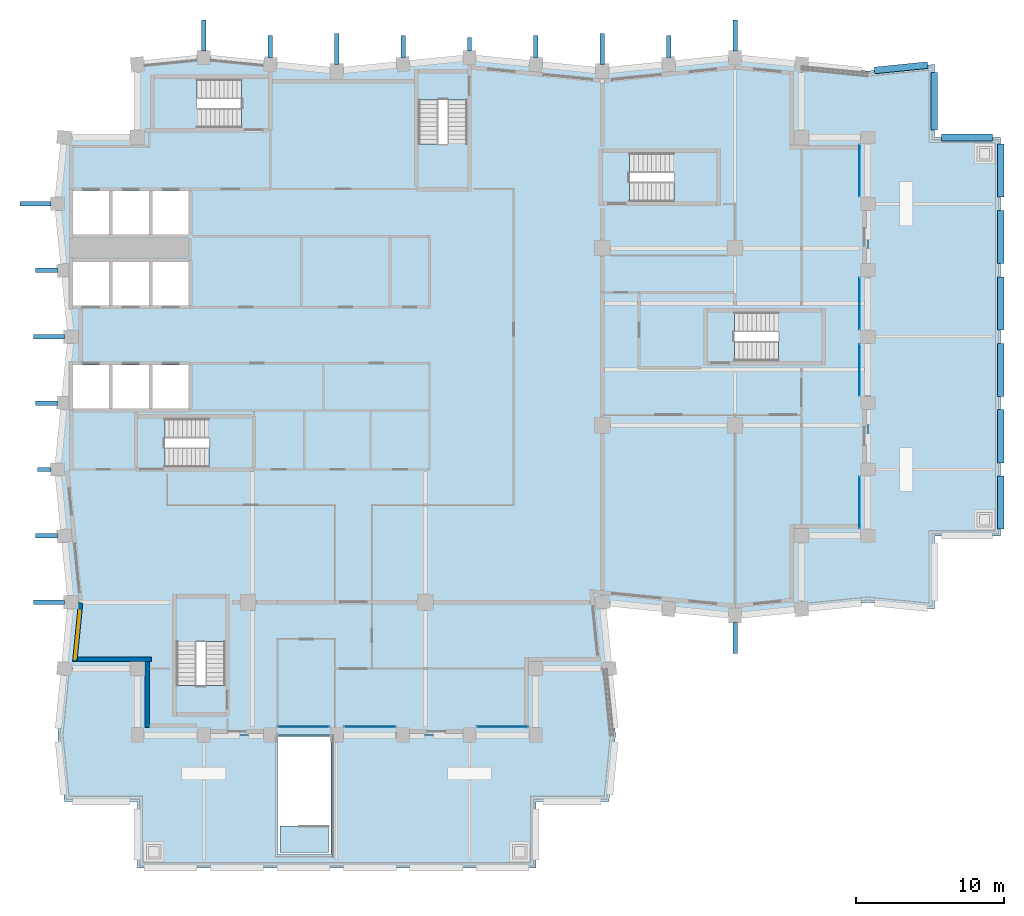
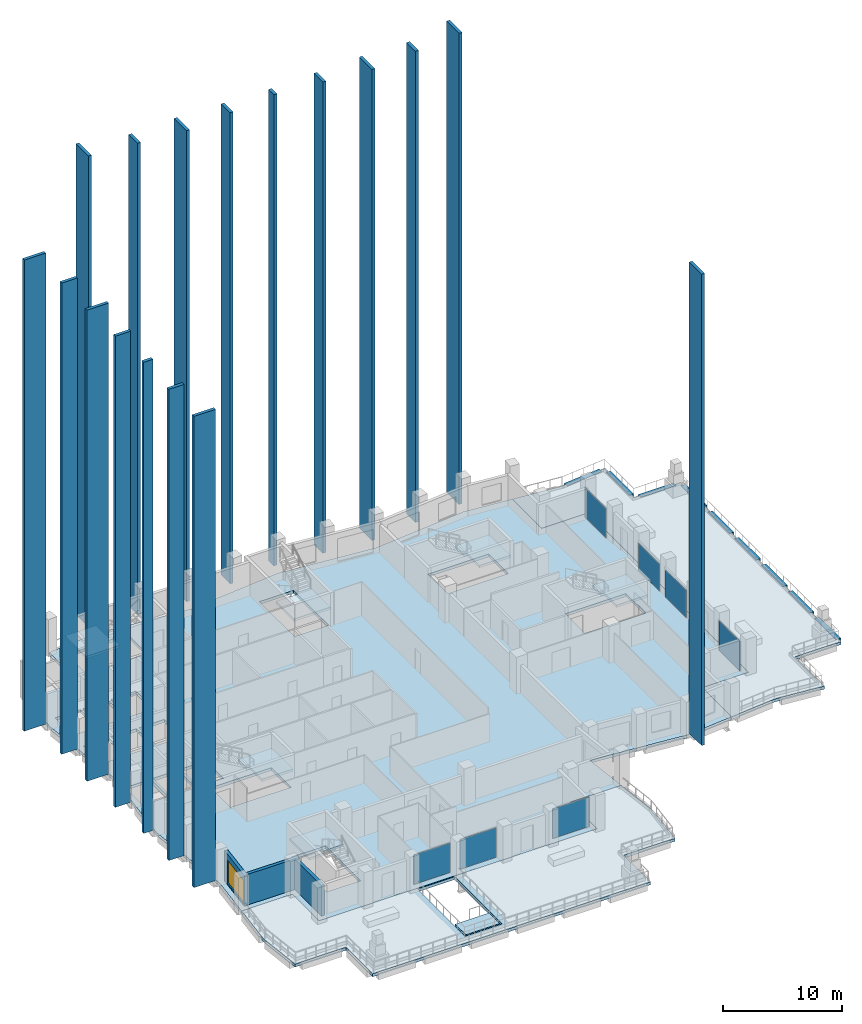
# One storey, part 10 of 19: 24 plates, 10 slabs, 9 beams, 3 walls, 1 window, 1 opening, 13 elements without a shape of their own.
"""IFC4 building model written with IfcOpenShell, lengths in metres."""

from ifc_helpers import new_model, si_unit, direction, frame, frame_2d, origin, origin_2d, place, context, subcontext, project, spatial, polyline, rectangle, outline, extrude, material, layer, layer_set, material_profile, profile_set, type_object, element, fill, aggregate, save


model = new_model("IFC4")

# Units and contexts
model_context = context("Model", 3, precision=1e-05, world=origin(), true_north=direction((0.0, 1.0)))
body_context = subcontext(model_context, "Body", "Model", "MODEL_VIEW")
ifc_project = project(units=[si_unit("LENGTHUNIT", "METRE"), si_unit("AREAUNIT", "SQUARE_METRE"), si_unit("VOLUMEUNIT", "CUBIC_METRE"), si_unit("PLANEANGLEUNIT", "RADIAN"), si_unit("MASSUNIT", "GRAM", prefix="KILO")], contexts=[model_context])

# Site, building, storey
site_placement = place(None, origin())
site = spatial("IfcSite", under=ifc_project, at=site_placement, CompositionType="ELEMENT")
building_placement = place(site_placement, origin())
building = spatial("IfcBuilding", under=site, at=building_placement, Name="Brondeck Convention Tower", CompositionType="ELEMENT")
storey_placement = place(building_placement, frame((0.0, 0.0, 198.800048828125)))
storey = spatial("IfcBuildingStorey", under=building, at=storey_placement, Name="L48", CompositionType="ELEMENT", Elevation=198.800048828125)

# Beams
ifc_material_1 = material(Name="Concrete C50/60", Category="concrete")
ifc_material_profile = material_profile(ifc_material_1, rectangle(XDim=0.449951171875, YDim=0.64990234375, at=origin_2d()), Name="Precast spandrel 450x650 Concrete C50/60")
ifc_profile_set = profile_set([ifc_material_profile], Name="Concrete C50/60")
beam_type = type_object("IfcBeamType", Name="Precast spandrel 450x650 Concrete C50/60", PredefinedType="SPANDREL", material=ifc_profile_set)
beam_1_placement = place(storey_placement, frame((54.449951171875, 63.044921875, -0.324951171875), z_axis=(0.995033851182, 0.099537103649, 0.0), x_axis=(-0.099537103649, 0.995033851182, 0.0)))
element("IfcBeam", 1, at=beam_1_placement, inside=storey, type_object=beam_type, Name="STR-SP-L48T2-001", PredefinedType="SPANDREL", context=body_context, shape_type="SweptSolid", body=[
    extrude(rectangle(XDim=0.449951171875, YDim=0.64990234375, at=origin_2d()), origin(), (0.0, 0.0, 1.0), 3.620361328125),
])
beam_2_placement = place(storey_placement, frame((58.5, 62.897216796875, -0.324951171875), z_axis=(0.0, -1.0, 0.0), x_axis=(1.0, 0.0, 0.0)))
element("IfcBeam", 2, at=beam_2_placement, inside=storey, type_object=beam_type, Name="STR-SP-L48T2-002", PredefinedType="SPANDREL", context=body_context, shape_type="SweptSolid", body=[
    extrude(rectangle(XDim=0.449951171875, YDim=0.64990234375, at=origin_2d()), origin(), (0.0, 0.0, 1.0), 3.897216796875),
])
beam_3_placement = place(storey_placement, frame((59.0, 58.5, -0.324951171875), z_axis=(1.0, 0.0, 0.0), x_axis=(0.0, 1.0, 0.0)))
element("IfcBeam", 3, at=beam_3_placement, inside=storey, type_object=beam_type, Name="STR-SP-L48T2-003", PredefinedType="SPANDREL", context=body_context, shape_type="SweptSolid", body=[
    extrude(rectangle(XDim=0.449951171875, YDim=0.64990234375, at=origin_2d()), origin(), (0.0, 0.0, 1.0), 3.449951171875),
])
for number, where, z_axis, x_axis, name in (
    (4, (63.0, 58.050048828125, -0.324951171875), (0.0, -1.0, 0.0), (1.0, 0.0, 0.0), "STR-SP-L48T2-004"),
    (5, (63.0, 53.550048828125, -0.324951171875), (0.0, -1.0, 0.0), (1.0, 0.0, 0.0), "STR-SP-L48T2-005"),
    (6, (63.0, 49.050048828125, -0.324951171875), (0.0, -1.0, 0.0), (1.0, 0.0, 0.0), "STR-SP-L48T2-006"),
    (7, (63.0, 44.550048828125, -0.324951171875), (0.0, -1.0, 0.0), (1.0, 0.0, 0.0), "STR-SP-L48T2-007"),
    (8, (63.0, 40.050048828125, -0.324951171875), (0.0, -1.0, 0.0), (1.0, 0.0, 0.0), "STR-SP-L48T2-008"),
    (9, (63.0, 35.550048828125, -0.324951171875), (0.0, -1.0, 0.0), (1.0, 0.0, 0.0), "STR-SP-L48T2-009"),
):
    element("IfcBeam", number, at=place(storey_placement, frame(where, z_axis=z_axis, x_axis=x_axis)), inside=storey, type_object=beam_type, Name=name, PredefinedType="SPANDREL", context=body_context, shape_type="SweptSolid", body=[
        extrude(rectangle(XDim=0.449951171875, YDim=0.64990234375, at=origin_2d()), origin(), (0.0, 0.0, 1.0), 3.60009765625),
    ])

# Curtain wall, plate
ifc_material_2 = material(Name="Aluminium, bronze anodised", Category="aluminium")
curtain_wall_type = type_object("IfcCurtainWallType", Name="Terrace door screen curtain wall", PredefinedType="NOTDEFINED", material=ifc_material_2)
curtain_wall_1_placement = place(storey_placement, origin())
curtain_wall_1 = element("IfcCurtainWall", 10, at=curtain_wall_1_placement, inside=storey, type_object=curtain_wall_type, Name="ENV-CW6-L48-B-S18-03", PredefinedType="NOTDEFINED")
ifc_material_3 = material(Name="Bronze tinted laminated glass", Category="glass")
ifc_layer_1 = layer(ifc_material_3, 0.006103515625, Name="Outer pane")
ifc_material_4 = material(Name="Argon-filled cavity")
ifc_layer_2 = layer(ifc_material_4, 0.011962890625, Name="Cavity")
ifc_material_5 = material(Name="Clear low-emissivity glass", Category="glass")
ifc_layer_3 = layer(ifc_material_5, 0.006103515625, Name="Inner pane")
ifc_layer_set_1 = layer_set([ifc_layer_1, ifc_layer_2, ifc_layer_3], Name="CW6 glazing panel")
plate_type_1 = type_object("IfcPlateType", Name="CW6 glazing panel", PredefinedType="CURTAIN_PANEL", material=ifc_layer_set_1)
plate_1_placement = place(storey_placement, frame((15.75, 18.56005859375, 0.0498046875), z_axis=(0.0, 0.0, 1.0), x_axis=(-1.0, 0.0, 0.0)))
plate_1 = element("IfcPlate", 11, at=plate_1_placement, type_object=plate_type_1, Name="CW6 panel 1.1", PredefinedType="CURTAIN_PANEL", context=body_context, shape_type="SweptSolid", body=[
    extrude(rectangle(XDim=3.5, YDim=0.02392578125, at=origin_2d()), origin(), (0.0, 0.0, 1.0), 3.050048828125),
])
aggregate(curtain_wall_1, [plate_1])

curtain_wall_2_placement = place(storey_placement, origin())
curtain_wall_2 = element("IfcCurtainWall", 12, at=curtain_wall_2_placement, inside=storey, type_object=curtain_wall_type, Name="ENV-CW6-L48-B-S18-04", PredefinedType="NOTDEFINED")
plate_2_placement = place(storey_placement, frame((20.25, 18.56005859375, 0.0498046875), z_axis=(0.0, 0.0, 1.0), x_axis=(-1.0, 0.0, 0.0)))
plate_2 = element("IfcPlate", 13, at=plate_2_placement, type_object=plate_type_1, Name="CW6 panel 1.1", PredefinedType="CURTAIN_PANEL", context=body_context, shape_type="SweptSolid", body=[
    extrude(rectangle(XDim=3.5, YDim=0.02392578125, at=origin_2d()), origin(), (0.0, 0.0, 1.0), 3.050048828125),
])
aggregate(curtain_wall_2, [plate_2])

curtain_wall_3_placement = place(storey_placement, origin())
curtain_wall_3 = element("IfcCurtainWall", 14, at=curtain_wall_3_placement, inside=storey, type_object=curtain_wall_type, Name="ENV-CW6-L48-B-S18-06", PredefinedType="NOTDEFINED")
plate_3_placement = place(storey_placement, frame((29.25, 18.56005859375, 0.0498046875), z_axis=(0.0, 0.0, 1.0), x_axis=(-1.0, 0.0, 0.0)))
plate_3 = element("IfcPlate", 15, at=plate_3_placement, type_object=plate_type_1, Name="CW6 panel 1.1", PredefinedType="CURTAIN_PANEL", context=body_context, shape_type="SweptSolid", body=[
    extrude(rectangle(XDim=3.5, YDim=0.02392578125, at=origin_2d()), origin(), (0.0, 0.0, 1.0), 3.050048828125),
])
aggregate(curtain_wall_3, [plate_3])

curtain_wall_4_placement = place(storey_placement, origin())
curtain_wall_4 = element("IfcCurtainWall", 16, at=curtain_wall_4_placement, inside=storey, type_object=curtain_wall_type, Name="ENV-CW6-L48-A-E54-01", PredefinedType="NOTDEFINED")
plate_4_placement = place(storey_placement, frame((53.43994140625, 33.75, 0.0498046875), z_axis=(0.0, 0.0, 1.0), x_axis=(0.0, -1.0, 0.0)))
plate_4 = element("IfcPlate", 17, at=plate_4_placement, type_object=plate_type_1, Name="CW6 panel 1.1", PredefinedType="CURTAIN_PANEL", context=body_context, shape_type="SweptSolid", body=[
    extrude(rectangle(XDim=3.5, YDim=0.02392578125, at=origin_2d()), origin(), (0.0, 0.0, 1.0), 3.050048828125),
])
aggregate(curtain_wall_4, [plate_4])

curtain_wall_5_placement = place(storey_placement, origin())
curtain_wall_5 = element("IfcCurtainWall", 18, at=curtain_wall_5_placement, inside=storey, type_object=curtain_wall_type, Name="ENV-CW6-L48-A-E54-03", PredefinedType="NOTDEFINED")
plate_5_placement = place(storey_placement, frame((53.43994140625, 42.75, 0.0498046875), z_axis=(0.0, 0.0, 1.0), x_axis=(0.0, -1.0, 0.0)))
plate_5 = element("IfcPlate", 19, at=plate_5_placement, type_object=plate_type_1, Name="CW6 panel 1.1", PredefinedType="CURTAIN_PANEL", context=body_context, shape_type="SweptSolid", body=[
    extrude(rectangle(XDim=3.5, YDim=0.02392578125, at=origin_2d()), origin(), (0.0, 0.0, 1.0), 2.800048828125),
])
aggregate(curtain_wall_5, [plate_5])

curtain_wall_6_placement = place(storey_placement, origin())
curtain_wall_6 = element("IfcCurtainWall", 20, at=curtain_wall_6_placement, inside=storey, type_object=curtain_wall_type, Name="ENV-CW6-L48-A-E54-04", PredefinedType="NOTDEFINED")
plate_6_placement = place(storey_placement, frame((53.43994140625, 47.25, 0.0498046875), z_axis=(0.0, 0.0, 1.0), x_axis=(0.0, -1.0, 0.0)))
plate_6 = element("IfcPlate", 21, at=plate_6_placement, type_object=plate_type_1, Name="CW6 panel 1.1", PredefinedType="CURTAIN_PANEL", context=body_context, shape_type="SweptSolid", body=[
    extrude(rectangle(XDim=3.5, YDim=0.02392578125, at=origin_2d()), origin(), (0.0, 0.0, 1.0), 2.800048828125),
])
aggregate(curtain_wall_6, [plate_6])

curtain_wall_7_placement = place(storey_placement, origin())
curtain_wall_7 = element("IfcCurtainWall", 22, at=curtain_wall_7_placement, inside=storey, type_object=curtain_wall_type, Name="ENV-CW6-L48-A-E54-06", PredefinedType="NOTDEFINED")
plate_7_placement = place(storey_placement, frame((53.43994140625, 56.25, 0.0498046875), z_axis=(0.0, 0.0, 1.0), x_axis=(0.0, -1.0, 0.0)))
plate_7 = element("IfcPlate", 23, at=plate_7_placement, type_object=plate_type_1, Name="CW6 panel 1.1", PredefinedType="CURTAIN_PANEL", context=body_context, shape_type="SweptSolid", body=[
    extrude(rectangle(XDim=3.5, YDim=0.02392578125, at=origin_2d()), origin(), (0.0, 0.0, 1.0), 3.050048828125),
])
aggregate(curtain_wall_7, [plate_7])

# Slabs
ifc_material_6 = material(Name="Concrete C35/45", Category="concrete")
ifc_layer_4 = layer(ifc_material_6, 0.300048828125)
ifc_layer_set_2 = layer_set([ifc_layer_4], Name="Composite floor slab 300")
slab_type_1 = type_object("IfcSlabType", Name="Composite floor slab 300", PredefinedType="FLOOR", material=ifc_layer_set_2)
slab_1_placement = place(storey_placement, frame((0.0, 0.0, -0.300048828125)))
element("IfcSlab", 24, at=slab_1_placement, inside=storey, type_object=slab_type_1, Name="STR-SL-L48", PredefinedType="FLOOR", context=body_context, shape_type="SweptSolid", body=[
    extrude(outline(polyline([(4.5, 22.5), (-0.449951171875, 22.5), (0.0, 27.0), (-0.89990234375, 36.0), (0.0, 45.0), (-0.89990234375, 54.0), (-0.449951171875, 58.5), (4.5, 58.5), (4.5, 63.449951171875), (9.0, 63.89990234375), (18.0, 63.0), (27.0, 63.89990234375), (36.0, 63.0), (45.0, 63.89990234375), (49.5, 63.449951171875), (49.5, 58.5), (54.0, 58.5), (54.0, 31.5), (49.5, 31.5), (49.5, 26.550048828125), (45.0, 26.10009765625), (36.0, 27.0), (36.449951171875, 22.5), (31.5, 22.5), (31.5, 18.0), (4.5, 18.0), (4.5, 22.5)]), holes=[polyline([(2.574951171875, 40.125), (2.574951171875, 43.074951171875), (0.125, 43.074951171875), (0.125, 40.125), (2.574951171875, 40.125)]), polyline([(5.27490234375, 40.125), (5.27490234375, 43.074951171875), (2.824951171875, 43.074951171875), (2.824951171875, 40.125), (5.27490234375, 40.125)]), polyline([(7.97509765625, 40.125), (7.97509765625, 43.074951171875), (5.52490234375, 43.074951171875), (5.52490234375, 40.125), (7.97509765625, 40.125)]), polyline([(2.574951171875, 47.125), (2.574951171875, 50.074951171875), (0.125, 50.074951171875), (0.125, 47.125), (2.574951171875, 47.125)]), polyline([(5.27490234375, 47.125), (5.27490234375, 50.074951171875), (2.824951171875, 50.074951171875), (2.824951171875, 47.125), (5.27490234375, 47.125)]), polyline([(7.97509765625, 47.125), (7.97509765625, 50.074951171875), (5.52490234375, 50.074951171875), (5.52490234375, 47.125), (7.97509765625, 47.125)]), polyline([(2.574951171875, 51.925048828125), (2.574951171875, 54.875), (0.125, 54.875), (0.125, 51.925048828125), (2.574951171875, 51.925048828125)]), polyline([(5.27490234375, 51.925048828125), (5.27490234375, 54.875), (2.824951171875, 54.875), (2.824951171875, 51.925048828125), (5.27490234375, 51.925048828125)]), polyline([(10.447998046875, 27.248046875), (7.152099609375, 27.248046875), (7.152099609375, 21.35205078125), (10.447998046875, 21.35205078125), (10.447998046875, 27.248046875)]), polyline([(12.248046875, 36.152099609375), (12.248046875, 39.447998046875), (6.35205078125, 39.447998046875), (6.35205078125, 36.152099609375), (12.248046875, 36.152099609375)]), polyline([(50.847900390625, 43.35205078125), (50.847900390625, 46.64794921875), (44.951904296875, 46.64794921875), (44.951904296875, 43.35205078125), (50.847900390625, 43.35205078125)]), polyline([(7.97509765625, 51.925048828125), (7.97509765625, 54.875), (5.52490234375, 54.875), (5.52490234375, 51.925048828125), (7.97509765625, 51.925048828125)]), polyline([(43.748046875, 54.152099609375), (43.748046875, 57.447998046875), (37.85205078125, 57.447998046875), (37.85205078125, 54.152099609375), (43.748046875, 54.152099609375)]), polyline([(23.552001953125, 55.152099609375), (26.847900390625, 55.152099609375), (26.847900390625, 61.048095703125), (23.552001953125, 61.048095703125), (23.552001953125, 55.152099609375)]), polyline([(5.652099609375, 62.447998046875), (5.652099609375, 59.152099609375), (11.548095703125, 59.152099609375), (11.548095703125, 62.447998046875), (5.652099609375, 62.447998046875)])]), origin(), (0.0, 0.0, 1.0), 0.300048828125),
])
ifc_material_7 = material(Name="Precast concrete C50/60", Category="concrete")
ifc_layer_5 = layer(ifc_material_7, 0.25)
ifc_layer_set_3 = layer_set([ifc_layer_5], Name="Core stair landing 250 Precast concrete C50/60")
slab_type_2 = type_object("IfcSlabType", Name="Core stair landing 250 Precast concrete C50/60", PredefinedType="LANDING", material=ifc_layer_set_3)
slab_2_placement = place(storey_placement, frame((0.0, 0.0, -0.25)))
element("IfcSlab", 25, at=slab_2_placement, inside=storey, type_object=slab_type_2, Name="L48 ST-BF top landing", PredefinedType="LANDING", context=body_context, shape_type="SweptSolid", body=[
    extrude(outline(polyline([(17.449951171875, 10.050048828125), (17.449951171875, 11.85009765625), (14.14990234375, 11.85009765625), (14.14990234375, 10.050048828125), (17.449951171875, 10.050048828125)])), origin(), (0.0, 0.0, 1.0), 0.25),
])

# Stair, slab
stair_type = type_object("IfcStairType", Name="Core stair 22 risers 172.73 mm riser 300 mm going 1350 wide", PredefinedType="HALF_TURN_STAIR", material=ifc_material_7)
stair_1_placement = place(storey_placement, origin())
stair_1 = element("IfcStair", 26, at=stair_1_placement, inside=storey, type_object=stair_type, Name="ST-1 L48 stair", PredefinedType="HALF_TURN_STAIR")
slab_3_placement = place(storey_placement, frame((0.0, 0.0, 1.64990234375)))
slab_3 = element("IfcSlab", 27, at=slab_3_placement, type_object=slab_type_2, Name="ST-1 landing 1", PredefinedType="LANDING", context=body_context, shape_type="SweptSolid", body=[
    extrude(outline(polyline([(9.347900390625, 37.5), (9.35009765625, 37.5), (9.35009765625, 38.10009765625), (9.050048828125, 38.10009765625), (9.050048828125, 39.570068359375), (12.3701171875, 39.570068359375), (12.3701171875, 36.030029296875), (9.347900390625, 36.030029296875), (9.347900390625, 37.5)])), origin(), (0.0, 0.0, 1.0), 0.25),
])
aggregate(stair_1, [slab_3])

stair_2_placement = place(storey_placement, origin())
stair_2 = element("IfcStair", 28, at=stair_2_placement, inside=storey, type_object=stair_type, Name="ST-2 L48 stair", PredefinedType="HALF_TURN_STAIR")
slab_4_placement = place(storey_placement, frame((0.0, 0.0, 1.64990234375)))
slab_4 = element("IfcSlab", 29, at=slab_4_placement, type_object=slab_type_2, Name="ST-2 landing 1", PredefinedType="LANDING", context=body_context, shape_type="SweptSolid", body=[
    extrude(outline(polyline([(23.429931640625, 58.052001953125), (24.89990234375, 58.052001953125), (24.89990234375, 58.050048828125), (25.5, 58.050048828125), (25.5, 58.35009765625), (26.969970703125, 58.35009765625), (26.969970703125, 55.030029296875), (23.429931640625, 55.030029296875), (23.429931640625, 58.052001953125)])), origin(), (0.0, 0.0, 1.0), 0.25),
])
aggregate(stair_2, [slab_4])

stair_3_placement = place(storey_placement, origin())
stair_3 = element("IfcStair", 30, at=stair_3_placement, inside=storey, type_object=stair_type, Name="ST-3 L48 stair", PredefinedType="HALF_TURN_STAIR")
slab_5_placement = place(storey_placement, frame((0.0, 0.0, 1.64990234375)))
slab_5 = element("IfcSlab", 31, at=slab_5_placement, type_object=slab_type_2, Name="ST-3 landing 1", PredefinedType="LANDING", context=body_context, shape_type="SweptSolid", body=[
    extrude(outline(polyline([(8.85009765625, 60.5), (8.85009765625, 59.030029296875), (5.530029296875, 59.030029296875), (5.530029296875, 62.570068359375), (8.552001953125, 62.570068359375), (8.552001953125, 61.10009765625), (8.550048828125, 61.10009765625), (8.550048828125, 60.5), (8.85009765625, 60.5)])), origin(), (0.0, 0.0, 1.0), 0.25),
])
aggregate(stair_3, [slab_5])

stair_4_placement = place(storey_placement, origin())
stair_4 = element("IfcStair", 32, at=stair_4_placement, inside=storey, type_object=stair_type, Name="ST-AE L48 stair", PredefinedType="HALF_TURN_STAIR")
slab_6_placement = place(storey_placement, frame((0.0, 0.0, 1.64990234375)))
slab_6 = element("IfcSlab", 33, at=slab_6_placement, type_object=slab_type_2, Name="ST-AE landing 1", PredefinedType="LANDING", context=body_context, shape_type="SweptSolid", body=[
    extrude(outline(polyline([(40.847900390625, 55.5), (40.85009765625, 55.5), (40.85009765625, 56.10009765625), (40.550048828125, 56.10009765625), (40.550048828125, 57.570068359375), (43.8701171875, 57.570068359375), (43.8701171875, 54.030029296875), (40.847900390625, 54.030029296875), (40.847900390625, 55.5)])), origin(), (0.0, 0.0, 1.0), 0.25),
])
aggregate(stair_4, [slab_6])

stair_5_placement = place(storey_placement, origin())
stair_5 = element("IfcStair", 34, at=stair_5_placement, inside=storey, type_object=stair_type, Name="ST-BE L48 stair", PredefinedType="HALF_TURN_STAIR")
slab_7_placement = place(storey_placement, frame((0.0, 0.0, 1.64990234375)))
slab_7 = element("IfcSlab", 35, at=slab_7_placement, type_object=slab_type_2, Name="ST-BE landing 1", PredefinedType="LANDING", context=body_context, shape_type="SweptSolid", body=[
    extrude(outline(polyline([(7.030029296875, 24.050048828125), (7.030029296875, 27.3701171875), (10.570068359375, 27.3701171875), (10.570068359375, 24.347900390625), (9.10009765625, 24.347900390625), (9.10009765625, 24.35009765625), (8.5, 24.35009765625), (8.5, 24.050048828125), (7.030029296875, 24.050048828125)])), origin(), (0.0, 0.0, 1.0), 0.25),
])
aggregate(stair_5, [slab_7])

stair_6_placement = place(storey_placement, origin())
stair_6 = element("IfcStair", 36, at=stair_6_placement, inside=storey, type_object=stair_type, Name="ST-AF L48 stair", PredefinedType="HALF_TURN_STAIR")
slab_8_placement = place(storey_placement, frame((0.0, 0.0, 1.64990234375)))
slab_8 = element("IfcSlab", 37, at=slab_8_placement, type_object=slab_type_2, Name="ST-AF landing 1", PredefinedType="LANDING", context=body_context, shape_type="SweptSolid", body=[
    extrude(outline(polyline([(47.947998046875, 44.699951171875), (47.949951171875, 44.699951171875), (47.949951171875, 45.300048828125), (47.64990234375, 45.300048828125), (47.64990234375, 46.77001953125), (50.969970703125, 46.77001953125), (50.969970703125, 43.22998046875), (47.947998046875, 43.22998046875), (47.947998046875, 44.699951171875)])), origin(), (0.0, 0.0, 1.0), 0.25),
])
aggregate(stair_6, [slab_8])

# Plates
ifc_layer_6 = layer(ifc_material_7, 0.300048828125)
ifc_layer_set_4 = layer_set([ifc_layer_6], Name="Facade fin FN1 300 x 900 Precast concrete C50/60")
plate_type_2 = type_object("IfcPlateType", Name="Facade fin FN1 300 x 900 Precast concrete C50/60", PredefinedType="USERDEFINED", material=ifc_layer_set_4)
plate_8_placement = place(storey_placement, frame((0.0, 0.0, 0.5)))
element("IfcPlate", 38, at=plate_8_placement, inside=storey, type_object=plate_type_2, Name="ENV-FN-A-N-Z4-06", ObjectType="FIN", PredefinedType="USERDEFINED", context=body_context, shape_type="SweptSolid", body=[
    extrude(outline(polyline([(26.85009765625, 65.260009765625), (26.85009765625, 64.360107421875), (27.14990234375, 64.360107421875), (27.14990234375, 65.260009765625), (26.85009765625, 65.260009765625)])), origin(), (0.0, 0.0, 1.0), 48.39990234375),
])
plate_9_placement = place(storey_placement, frame((0.0, 0.0, 0.5)))
element("IfcPlate", 39, at=plate_9_placement, inside=storey, type_object=plate_type_2, Name="ENV-FN-B-W-Z4-06", ObjectType="FIN", PredefinedType="USERDEFINED", context=body_context, shape_type="SweptSolid", body=[
    extrude(outline(polyline([(-2.260009765625, 35.85009765625), (-1.360107421875, 35.85009765625), (-1.360107421875, 36.14990234375), (-2.260009765625, 36.14990234375), (-2.260009765625, 35.85009765625)])), origin(), (0.0, 0.0, 1.0), 48.39990234375),
])
ifc_layer_7 = layer(ifc_material_7, 0.300048828125)
ifc_layer_set_5 = layer_set([ifc_layer_7], Name="Facade fin FN2 300 x 1500 Precast concrete C50/60")
plate_type_3 = type_object("IfcPlateType", Name="Facade fin FN2 300 x 1500 Precast concrete C50/60", PredefinedType="USERDEFINED", material=ifc_layer_set_5)
plate_10_placement = place(storey_placement, frame((0.0, 0.0, 0.5)))
element("IfcPlate", 40, at=plate_10_placement, inside=storey, type_object=plate_type_3, Name="ENV-FN-A-N-Z4-03", ObjectType="FIN", PredefinedType="USERDEFINED", context=body_context, shape_type="SweptSolid", body=[
    extrude(outline(polyline([(13.35009765625, 65.409912109375), (13.35009765625, 63.909912109375), (13.64990234375, 63.909912109375), (13.64990234375, 65.409912109375), (13.35009765625, 65.409912109375)])), origin(), (0.0, 0.0, 1.0), 48.39990234375),
])
plate_11_placement = place(storey_placement, frame((0.0, 0.0, 0.5)))
element("IfcPlate", 41, at=plate_11_placement, inside=storey, type_object=plate_type_3, Name="ENV-FN-A-N-Z4-05", ObjectType="FIN", PredefinedType="USERDEFINED", context=body_context, shape_type="SweptSolid", body=[
    extrude(outline(polyline([(22.35009765625, 65.409912109375), (22.35009765625, 63.909912109375), (22.64990234375, 63.909912109375), (22.64990234375, 65.409912109375), (22.35009765625, 65.409912109375)])), origin(), (0.0, 0.0, 1.0), 48.39990234375),
])
plate_12_placement = place(storey_placement, frame((0.0, 0.0, 0.5)))
element("IfcPlate", 42, at=plate_12_placement, inside=storey, type_object=plate_type_3, Name="ENV-FN-A-N-Z4-07", ObjectType="FIN", PredefinedType="USERDEFINED", context=body_context, shape_type="SweptSolid", body=[
    extrude(outline(polyline([(31.35009765625, 65.409912109375), (31.35009765625, 63.909912109375), (31.64990234375, 63.909912109375), (31.64990234375, 65.409912109375), (31.35009765625, 65.409912109375)])), origin(), (0.0, 0.0, 1.0), 48.39990234375),
])
plate_13_placement = place(storey_placement, frame((0.0, 0.0, 0.5)))
element("IfcPlate", 43, at=plate_13_placement, inside=storey, type_object=plate_type_3, Name="ENV-FN-A-N-Z4-09", ObjectType="FIN", PredefinedType="USERDEFINED", context=body_context, shape_type="SweptSolid", body=[
    extrude(outline(polyline([(40.35009765625, 65.409912109375), (40.35009765625, 63.909912109375), (40.64990234375, 63.909912109375), (40.64990234375, 65.409912109375), (40.35009765625, 65.409912109375)])), origin(), (0.0, 0.0, 1.0), 48.39990234375),
])
plate_14_placement = place(storey_placement, frame((0.0, 0.0, 0.5)))
element("IfcPlate", 44, at=plate_14_placement, inside=storey, type_object=plate_type_3, Name="ENV-FN-B-W-Z4-03", ObjectType="FIN", PredefinedType="USERDEFINED", context=body_context, shape_type="SweptSolid", body=[
    extrude(outline(polyline([(-2.409912109375, 49.35009765625), (-0.909912109375, 49.35009765625), (-0.909912109375, 49.64990234375), (-2.409912109375, 49.64990234375), (-2.409912109375, 49.35009765625)])), origin(), (0.0, 0.0, 1.0), 48.39990234375),
])
plate_15_placement = place(storey_placement, frame((0.0, 0.0, 0.5)))
element("IfcPlate", 45, at=plate_15_placement, inside=storey, type_object=plate_type_3, Name="ENV-FN-B-W-Z4-05", ObjectType="FIN", PredefinedType="USERDEFINED", context=body_context, shape_type="SweptSolid", body=[
    extrude(outline(polyline([(-2.409912109375, 40.35009765625), (-0.909912109375, 40.35009765625), (-0.909912109375, 40.64990234375), (-2.409912109375, 40.64990234375), (-2.409912109375, 40.35009765625)])), origin(), (0.0, 0.0, 1.0), 48.39990234375),
])
plate_16_placement = place(storey_placement, frame((0.0, 0.0, 0.5)))
element("IfcPlate", 46, at=plate_16_placement, inside=storey, type_object=plate_type_3, Name="ENV-FN-B-W-Z4-07", ObjectType="FIN", PredefinedType="USERDEFINED", context=body_context, shape_type="SweptSolid", body=[
    extrude(outline(polyline([(-2.409912109375, 31.35009765625), (-0.909912109375, 31.35009765625), (-0.909912109375, 31.64990234375), (-2.409912109375, 31.64990234375), (-2.409912109375, 31.35009765625)])), origin(), (0.0, 0.0, 1.0), 48.39990234375),
])
ifc_layer_8 = layer(ifc_material_7, 0.300048828125)
ifc_layer_set_6 = layer_set([ifc_layer_8], Name="Facade fin FN3 300 x 2100 Precast concrete C50/60")
plate_type_4 = type_object("IfcPlateType", Name="Facade fin FN3 300 x 2100 Precast concrete C50/60", PredefinedType="USERDEFINED", material=ifc_layer_set_6)
plate_17_placement = place(storey_placement, frame((0.0, 0.0, 0.5)))
element("IfcPlate", 47, at=plate_17_placement, inside=storey, type_object=plate_type_4, Name="ENV-FN-A-S-Z4-02", ObjectType="FIN", PredefinedType="USERDEFINED", context=body_context, shape_type="SweptSolid", body=[
    extrude(outline(polyline([(45.14990234375, 23.5400390625), (45.14990234375, 25.639892578125), (44.85009765625, 25.639892578125), (44.85009765625, 23.5400390625), (45.14990234375, 23.5400390625)])), origin(), (0.0, 0.0, 1.0), 48.39990234375),
])
plate_18_placement = place(storey_placement, frame((0.0, 0.0, 0.5)))
element("IfcPlate", 48, at=plate_18_placement, inside=storey, type_object=plate_type_4, Name="ENV-FN-A-N-Z4-02", ObjectType="FIN", PredefinedType="USERDEFINED", context=body_context, shape_type="SweptSolid", body=[
    extrude(outline(polyline([(8.85009765625, 66.4599609375), (8.85009765625, 64.360107421875), (9.14990234375, 64.360107421875), (9.14990234375, 66.4599609375), (8.85009765625, 66.4599609375)])), origin(), (0.0, 0.0, 1.0), 48.39990234375),
])
plate_19_placement = place(storey_placement, frame((0.0, 0.0, 0.5)))
element("IfcPlate", 49, at=plate_19_placement, inside=storey, type_object=plate_type_4, Name="ENV-FN-A-N-Z4-04", ObjectType="FIN", PredefinedType="USERDEFINED", context=body_context, shape_type="SweptSolid", body=[
    extrude(outline(polyline([(17.85009765625, 65.56005859375), (17.85009765625, 63.4599609375), (18.14990234375, 63.4599609375), (18.14990234375, 65.56005859375), (17.85009765625, 65.56005859375)])), origin(), (0.0, 0.0, 1.0), 48.39990234375),
])
plate_20_placement = place(storey_placement, frame((0.0, 0.0, 0.5)))
element("IfcPlate", 50, at=plate_20_placement, inside=storey, type_object=plate_type_4, Name="ENV-FN-A-N-Z4-08", ObjectType="FIN", PredefinedType="USERDEFINED", context=body_context, shape_type="SweptSolid", body=[
    extrude(outline(polyline([(35.85009765625, 65.56005859375), (35.85009765625, 63.4599609375), (36.14990234375, 63.4599609375), (36.14990234375, 65.56005859375), (35.85009765625, 65.56005859375)])), origin(), (0.0, 0.0, 1.0), 48.39990234375),
])
plate_21_placement = place(storey_placement, frame((0.0, 0.0, 0.5)))
element("IfcPlate", 51, at=plate_21_placement, inside=storey, type_object=plate_type_4, Name="ENV-FN-A-N-Z4-10", ObjectType="FIN", PredefinedType="USERDEFINED", context=body_context, shape_type="SweptSolid", body=[
    extrude(outline(polyline([(44.85009765625, 66.4599609375), (44.85009765625, 64.360107421875), (45.14990234375, 64.360107421875), (45.14990234375, 66.4599609375), (44.85009765625, 66.4599609375)])), origin(), (0.0, 0.0, 1.0), 48.39990234375),
])
plate_22_placement = place(storey_placement, frame((0.0, 0.0, 0.5)))
element("IfcPlate", 52, at=plate_22_placement, inside=storey, type_object=plate_type_4, Name="ENV-FN-B-W-Z4-02", ObjectType="FIN", PredefinedType="USERDEFINED", context=body_context, shape_type="SweptSolid", body=[
    extrude(outline(polyline([(-3.4599609375, 53.85009765625), (-1.360107421875, 53.85009765625), (-1.360107421875, 54.14990234375), (-3.4599609375, 54.14990234375), (-3.4599609375, 53.85009765625)])), origin(), (0.0, 0.0, 1.0), 48.39990234375),
])
plate_23_placement = place(storey_placement, frame((0.0, 0.0, 0.5)))
element("IfcPlate", 53, at=plate_23_placement, inside=storey, type_object=plate_type_4, Name="ENV-FN-B-W-Z4-04", ObjectType="FIN", PredefinedType="USERDEFINED", context=body_context, shape_type="SweptSolid", body=[
    extrude(outline(polyline([(-2.56005859375, 44.85009765625), (-0.4599609375, 44.85009765625), (-0.4599609375, 45.14990234375), (-2.56005859375, 45.14990234375), (-2.56005859375, 44.85009765625)])), origin(), (0.0, 0.0, 1.0), 48.39990234375),
])
plate_24_placement = place(storey_placement, frame((0.0, 0.0, 0.5)))
element("IfcPlate", 54, at=plate_24_placement, inside=storey, type_object=plate_type_4, Name="ENV-FN-B-W-Z4-08", ObjectType="FIN", PredefinedType="USERDEFINED", context=body_context, shape_type="SweptSolid", body=[
    extrude(outline(polyline([(-2.56005859375, 26.85009765625), (-0.4599609375, 26.85009765625), (-0.4599609375, 27.14990234375), (-2.56005859375, 27.14990234375), (-2.56005859375, 26.85009765625)])), origin(), (0.0, 0.0, 1.0), 48.39990234375),
])

# Slabs
ifc_layer_9 = layer(ifc_material_6, 0.300048828125)
ifc_layer_set_7 = layer_set([ifc_layer_9], Name="Roof slab, terrace and crown")
slab_type_3 = type_object("IfcSlabType", Name="Roof slab, terrace and crown", PredefinedType="ROOF", material=ifc_layer_set_7)
slab_9_placement = place(storey_placement, frame((0.0, 0.0, -0.300048828125)))
element("IfcSlab", 55, at=slab_9_placement, inside=storey, type_object=slab_type_3, Name="ENV-S2-1-SL", PredefinedType="ROOF", context=body_context, shape_type="SweptSolid", body=[
    extrude(outline(polyline([(36.449951171875, 13.5), (36.89990234375, 18.0), (36.449951171875, 22.5), (31.5, 22.5), (31.5, 18.0), (4.5, 18.0), (4.5, 22.5), (-0.449951171875, 22.5), (-0.89990234375, 18.0), (-0.449951171875, 13.5), (4.5, 13.5), (4.5, 9.0), (31.5, 9.0), (31.5, 13.5), (36.449951171875, 13.5)]), holes=[polyline([(17.60009765625, 17.89990234375), (17.60009765625, 9.89990234375), (14.0, 9.89990234375), (14.0, 17.89990234375), (17.60009765625, 17.89990234375)])]), origin(), (0.0, 0.0, 1.0), 0.300048828125),
])
slab_10_placement = place(storey_placement, frame((0.0, 0.0, -0.300048828125)))
element("IfcSlab", 56, at=slab_10_placement, inside=storey, type_object=slab_type_3, Name="ENV-S2-2-SL", PredefinedType="ROOF", context=body_context, shape_type="SweptSolid", body=[
    extrude(outline(polyline([(54.0, 63.0), (49.5, 63.449951171875), (49.5, 58.5), (54.0, 58.5), (54.0, 31.5), (49.5, 31.5), (49.5, 26.550048828125), (54.0, 27.0), (58.5, 26.550048828125), (58.5, 31.5), (63.0, 31.5), (63.0, 58.5), (58.5, 58.5), (58.5, 63.449951171875), (54.0, 63.0)])), origin(), (0.0, 0.0, 1.0), 0.300048828125),
])

# Wall, opening, window
ifc_material_8 = material(Name="Precast concrete C50/60 bronze finish", Category="concrete")
ifc_layer_10 = layer(ifc_material_8, 0.070068359375, Name="Bronze precast facing")
ifc_material_9 = material(Name="Mineral wool")
ifc_layer_11 = layer(ifc_material_9, 0.159912109375, Name="Insulation")
ifc_layer_12 = layer(ifc_material_6, 0.070068359375, Name="Backing")
ifc_layer_set_8 = layer_set([ifc_layer_10, ifc_layer_11, ifc_layer_12], Name="External infill wall, precast concrete C50/60 bronze facing")
wall_type = type_object("IfcWallType", Name="External infill wall, precast concrete C50/60 bronze facing", PredefinedType="SOLIDWALL", material=ifc_layer_set_8)
wall_1_placement = place(storey_placement, frame((0.251708984375, 22.985107421875, 0.0), z_axis=(0.0, 0.0, 1.0), x_axis=(0.09954596771, 0.995032964435, 0.0)))
wall_1 = element("IfcWall", 57, at=wall_1_placement, inside=storey, type_object=wall_type, Name="ENV-EW-L48-P2-B-W-08", PredefinedType="SOLIDWALL", context=body_context, shape_type="SweptSolid", body=[
    extrude(rectangle(XDim=4.0048828125, YDim=0.300048828125, at=frame_2d((2.00244140625, 0.0))), origin(), (0.0, 0.0, 1.0), 3.14990234375),
])
opening_placement = place(wall_1_placement, frame((0.14990234375, 0.0, 0.14990234375)))
opening = element("IfcOpeningElement", 58, at=opening_placement, cuts=wall_1, Name="Opening W9", PredefinedType="OPENING", context=body_context, shape_type="SweptSolid", body=[
    extrude(rectangle(XDim=3.300048828125, YDim=2.39990234375, at=frame_2d((1.64990234375, 1.199951171875))), frame((0.0, 0.159912109375, 0.0), z_axis=(0.0, -1.0, 0.0), x_axis=(1.0, 0.0, 0.0)), (0.0, 0.0, 1.0), 0.320068359375),
])
ifc_material_10 = material(Name="Bronze tinted double glazing", Category="glass")
window_type = type_object("IfcWindowType", Name="Glazed flute window, bronze tinted", PartitioningType="SINGLE_PANEL", PredefinedType="WINDOW", material=ifc_material_10)
window_placement = place(opening_placement, origin())
window = element("IfcWindow", 59, at=window_placement, inside=storey, type_object=window_type, Name="ENV-WN-L48-P2-B-W-08", OverallHeight=2.39990234375, OverallWidth=3.300048828125, PartitioningType="SINGLE_PANEL", PredefinedType="WINDOW", context=body_context, shape_type="SweptSolid", body=[
    extrude(rectangle(XDim=3.300048828125, YDim=2.39990234375, at=frame_2d((1.64990234375, 1.199951171875))), frame((0.0, 0.030029296875, 0.0), z_axis=(0.0, -1.0, 0.0), x_axis=(1.0, 0.0, 0.0)), (0.0, 0.0, 1.0), 0.06005859375),
])
fill(opening, window)

# Walls
wall_2_placement = place(storey_placement, frame((5.449951171875, 23.14990234375, 0.0), z_axis=(0.0, 0.0, 1.0), x_axis=(-1.0, 0.0, 0.0)))
element("IfcWall", 60, at=wall_2_placement, inside=storey, type_object=wall_type, Name="ENV-EW-L48-P2-NC-SWB18-01", PredefinedType="SOLIDWALL", context=body_context, shape_type="SweptSolid", body=[
    extrude(rectangle(XDim=5.025634765625, YDim=0.300048828125, at=frame_2d((2.5126953125, 0.0))), origin(), (0.0, 0.0, 1.0), 3.14990234375),
])
wall_3_placement = place(storey_placement, frame((5.14990234375, 18.5, 0.0), z_axis=(0.0, 0.0, 1.0), x_axis=(0.0, 1.0, 0.0)))
element("IfcWall", 61, at=wall_3_placement, inside=storey, type_object=wall_type, Name="ENV-EW-L48-P2-NC-SWB18-02", PredefinedType="SOLIDWALL", context=body_context, shape_type="SweptSolid", body=[
    extrude(rectangle(XDim=4.5, YDim=0.300048828125, at=frame_2d((2.25, 0.0))), origin(), (0.0, 0.0, 1.0), 3.14990234375),
])

save(model, "model.ifc")
